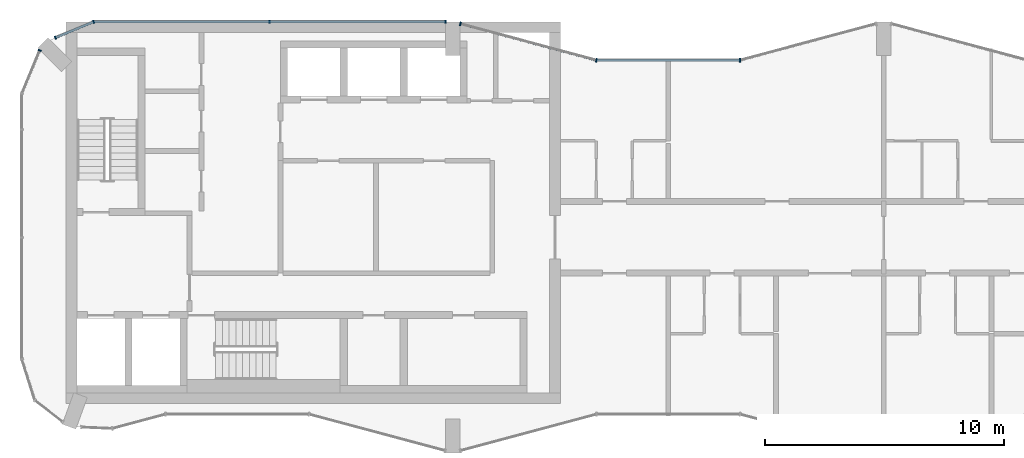
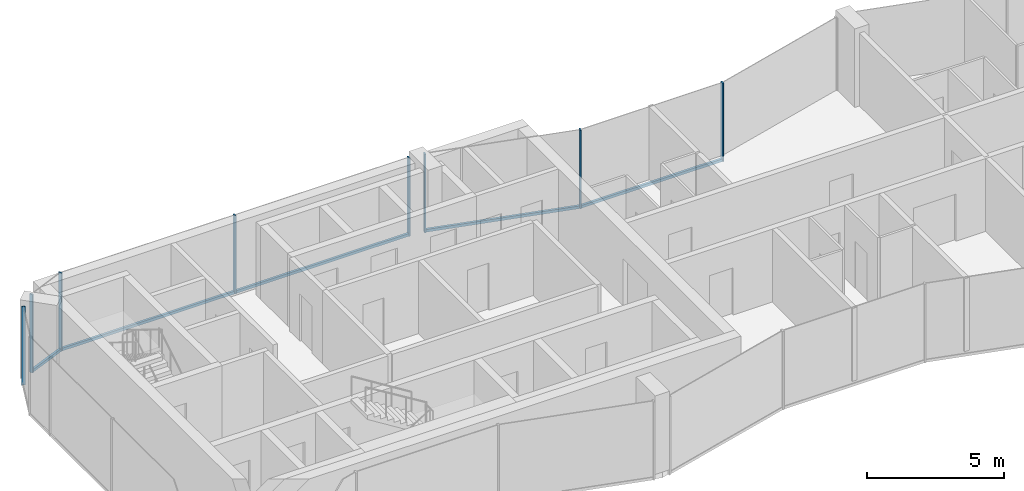
# One storey, part 4 of 10: 12 members, 5 elements without a shape of their own.
"""IFC4 building model written with IfcOpenShell, lengths in metres."""

from ifc_helpers import new_model, si_unit, direction, frame, origin, origin_2d, place, context, subcontext, project, spatial, rectangle, extrude, material, layer, layer_set, material_profile, profile_set, type_object, element, aggregate, save


model = new_model("IFC4")

# Units and contexts
model_context = context("Model", 3, precision=1e-05, world=origin(), true_north=direction((0.0, 1.0)))
body_context = subcontext(model_context, "Body", "Model", "MODEL_VIEW")
ifc_project = project(units=[si_unit("LENGTHUNIT", "METRE"), si_unit("AREAUNIT", "SQUARE_METRE"), si_unit("VOLUMEUNIT", "CUBIC_METRE"), si_unit("PLANEANGLEUNIT", "RADIAN"), si_unit("MASSUNIT", "GRAM", prefix="KILO")], contexts=[model_context])

# Site, building, storey
site_placement = place(None, origin())
site = spatial("IfcSite", under=ifc_project, at=site_placement, CompositionType="ELEMENT")
building_placement = place(site_placement, origin())
building = spatial("IfcBuilding", under=site, at=building_placement, Name="Plateau Cross Towers", CompositionType="ELEMENT")
storey_placement = place(building_placement, frame((0.0, 0.0, 266.89990234375)))
storey = spatial("IfcBuildingStorey", under=building, at=storey_placement, Name="L70", CompositionType="ELEMENT", Elevation=266.89990234375)

# Curtain wall, members
ifc_material_1 = material(Name="Dark low-iron glass", Category="glass")
ifc_layer_1 = layer(ifc_material_1, 0.239990234375)
ifc_layer_set_1 = layer_set([ifc_layer_1], Name="Dark low-iron glass")
curtain_wall_type_1 = type_object("IfcCurtainWallType", Name="Curtain wall flush unitised CW-B", PredefinedType="NOTDEFINED", material=ifc_layer_set_1)
curtain_wall_1_placement = place(storey_placement, origin())
curtain_wall_1 = element("IfcCurtainWall", 1, at=curtain_wall_1_placement, inside=storey, type_object=curtain_wall_type_1, Name="ENV/A/L70/A177_180", PredefinedType="NOTDEFINED")
ifc_material_2 = material(Name="Black anodised aluminium", Category="aluminium")
ifc_material_profile_1 = material_profile(ifc_material_2, rectangle(XDim=0.06005859375, YDim=0.139892578125, at=origin_2d()), Name="MULLION 60x140")
ifc_profile_set_1 = profile_set([ifc_material_profile_1], Name="Black anodised aluminium")
member_type_1 = type_object("IfcMemberType", Name="Mullion 60x140 flush unitised", PredefinedType="MULLION", material=ifc_profile_set_1)
member_1_placement = place(storey_placement, frame((17.699951171875, 18.0, -0.25), z_axis=(0.0, 0.0, 1.0), x_axis=(-1.0, 0.0, 0.0)))
member_1 = element("IfcMember", 2, at=member_1_placement, type_object=member_type_1, Name="CW-B mullion 1", PredefinedType="MULLION", context=body_context, shape_type="SweptSolid", body=[
    extrude(rectangle(XDim=0.06005859375, YDim=0.139892578125, at=origin_2d()), origin(), (0.0, 0.0, 1.0), 3.5),
])
member_2_placement = place(storey_placement, frame((10.35009765625, 18.0, -0.25), z_axis=(0.0, 0.0, 1.0), x_axis=(-1.0, 0.0, 0.0)))
member_2 = element("IfcMember", 3, at=member_2_placement, type_object=member_type_1, Name="CW-B mullion 2", PredefinedType="MULLION", context=body_context, shape_type="SweptSolid", body=[
    extrude(rectangle(XDim=0.06005859375, YDim=0.139892578125, at=origin_2d()), origin(), (0.0, 0.0, 1.0), 3.5),
])

curtain_wall_2_placement = place(storey_placement, origin())
curtain_wall_2 = element("IfcCurtainWall", 4, at=curtain_wall_2_placement, inside=storey, type_object=curtain_wall_type_1, Name="ENV/A/L70/A30_180", PredefinedType="NOTDEFINED")
member_3_placement = place(storey_placement, frame((3.0, 18.0, -0.25), z_axis=(0.0, 0.0, 1.0), x_axis=(-0.923879457699, -0.382683612978, 0.0)))
member_3 = element("IfcMember", 5, at=member_3_placement, type_object=member_type_1, Name="CW-B mullion 1", PredefinedType="MULLION", context=body_context, shape_type="SweptSolid", body=[
    extrude(rectangle(XDim=0.06005859375, YDim=0.139892578125, at=origin_2d()), origin(), (0.0, 0.0, 1.0), 3.5),
])
member_4_placement = place(storey_placement, frame((1.4033203125, 17.338623046875, -0.25), z_axis=(0.0, 0.0, 1.0), x_axis=(-0.923879457699, -0.382683612978, 0.0)))
member_4 = element("IfcMember", 6, at=member_4_placement, type_object=member_type_1, Name="CW-B mullion 2", PredefinedType="MULLION", context=body_context, shape_type="SweptSolid", body=[
    extrude(rectangle(XDim=0.06005859375, YDim=0.139892578125, at=origin_2d()), origin(), (0.0, 0.0, 1.0), 3.5),
])

# Curtain wall, member
curtain_wall_3_placement = place(storey_placement, origin())
curtain_wall_3 = element("IfcCurtainWall", 7, at=curtain_wall_3_placement, inside=storey, type_object=curtain_wall_type_1, Name="ENV/A/L70/A7_168", PredefinedType="NOTDEFINED")
member_5_placement = place(storey_placement, frame((0.748046875, 16.805908203125, -0.25), z_axis=(0.0, 0.0, 1.0), x_axis=(-0.382683612978, -0.923879457699, 0.0)))
member_5 = element("IfcMember", 8, at=member_5_placement, type_object=member_type_1, Name="CW-B mullion 1", PredefinedType="MULLION", context=body_context, shape_type="SweptSolid", body=[
    extrude(rectangle(XDim=0.06005859375, YDim=0.139892578125, at=origin_2d()), origin(), (0.0, 0.0, 1.0), 3.5),
])
aggregate(curtain_wall_3, [member_5])

ifc_layer_2 = layer(ifc_material_1, 0.260009765625)
ifc_layer_set_2 = layer_set([ifc_layer_2], Name="Dark low-iron glass")
curtain_wall_type_2 = type_object("IfcCurtainWallType", Name="Curtain wall fluted unitised CW-A", PredefinedType="NOTDEFINED", material=ifc_layer_set_2)
curtain_wall_4_placement = place(storey_placement, origin())
curtain_wall_4 = element("IfcCurtainWall", 9, at=curtain_wall_4_placement, inside=storey, type_object=curtain_wall_type_2, Name="ENV/A/L70/A300_164", PredefinedType="NOTDEFINED")
ifc_material_profile_2 = material_profile(ifc_material_2, rectangle(XDim=0.06005859375, YDim=0.159912109375, at=origin_2d()), Name="MULLION 60x160")
ifc_profile_set_2 = profile_set([ifc_material_profile_2], Name="Black anodised aluminium")
member_type_2 = type_object("IfcMemberType", Name="Mullion 60x160 fluted unitised", PredefinedType="MULLION", material=ifc_profile_set_2)
member_6_placement = place(storey_placement, frame((30.0, 16.39306640625, -0.25), z_axis=(0.0, 0.0, 1.0), x_axis=(-1.0, 0.0, 0.0)))
member_6 = element("IfcMember", 10, at=member_6_placement, type_object=member_type_2, Name="CW-A mullion 1", PredefinedType="MULLION", context=body_context, shape_type="SweptSolid", body=[
    extrude(rectangle(XDim=0.06005859375, YDim=0.159912109375, at=origin_2d()), origin(), (0.0, 0.0, 1.0), 3.5),
])

# Curtain wall, members
curtain_wall_5_placement = place(storey_placement, origin())
curtain_wall_5 = element("IfcCurtainWall", 11, at=curtain_wall_5_placement, inside=storey, type_object=curtain_wall_type_2, Name="ENV/A/L70/A240_164", PredefinedType="NOTDEFINED")
member_7_placement = place(storey_placement, frame((24.0, 16.39306640625, -0.25), z_axis=(0.0, 0.0, 1.0), x_axis=(-0.965957983404, 0.258699003279, 0.0)))
member_7 = element("IfcMember", 12, at=member_7_placement, type_object=member_type_2, Name="CW-A mullion 1", PredefinedType="MULLION", context=body_context, shape_type="SweptSolid", body=[
    extrude(rectangle(XDim=0.06005859375, YDim=0.159912109375, at=origin_2d()), origin(), (0.0, 0.0, 1.0), 3.5),
])
member_8_placement = place(storey_placement, frame((18.31787109375, 17.914794921875, -0.25), z_axis=(0.0, 0.0, 1.0), x_axis=(-0.965957983404, 0.258699003279, 0.0)))
member_8 = element("IfcMember", 13, at=member_8_placement, type_object=member_type_2, Name="CW-A mullion 2", PredefinedType="MULLION", context=body_context, shape_type="SweptSolid", body=[
    extrude(rectangle(XDim=0.06005859375, YDim=0.159912109375, at=origin_2d()), origin(), (0.0, 0.0, 1.0), 3.5),
])

# Member
ifc_material_profile_3 = material_profile(ifc_material_2, rectangle(XDim=0.10009765625, YDim=0.1201171875, at=origin_2d()), Name="TRANSOM 100x120")
ifc_profile_set_3 = profile_set([ifc_material_profile_3], Name="Black anodised aluminium")
member_type_3 = type_object("IfcMemberType", Name="Transom 100x120 flush unitised", PredefinedType="USERDEFINED", material=ifc_profile_set_3)
member_9_placement = place(storey_placement, frame((17.699951171875, 18.0, -0.18994140625), z_axis=(-1.0, 0.0, 0.0), x_axis=(0.0, -1.0, 0.0)))
member_9 = element("IfcMember", 14, at=member_9_placement, type_object=member_type_3, Name="CW-B transom", ObjectType="TRANSOM", PredefinedType="USERDEFINED", context=body_context, shape_type="SweptSolid", body=[
    extrude(rectangle(XDim=0.10009765625, YDim=0.1201171875, at=origin_2d()), origin(), (0.0, 0.0, 1.0), 14.699951171875),
])

aggregate(curtain_wall_1, [member_1, member_2, member_9])

member_10_placement = place(storey_placement, frame((3.0, 18.0, -0.18994140625), z_axis=(-0.923877369776, -0.382688653628, 0.0), x_axis=(0.382688653628, -0.923877369776, 0.0)))
member_10 = element("IfcMember", 15, at=member_10_placement, type_object=member_type_3, Name="CW-B transom", ObjectType="TRANSOM", PredefinedType="USERDEFINED", context=body_context, shape_type="SweptSolid", body=[
    extrude(rectangle(XDim=0.10009765625, YDim=0.1201171875, at=origin_2d()), origin(), (0.0, 0.0, 1.0), 1.728271484375),
])

aggregate(curtain_wall_2, [member_3, member_4, member_10])

ifc_material_profile_4 = material_profile(ifc_material_2, rectangle(XDim=0.10009765625, YDim=0.1201171875, at=origin_2d()), Name="TRANSOM 100x120")
ifc_profile_set_4 = profile_set([ifc_material_profile_4], Name="Black anodised aluminium")
member_type_4 = type_object("IfcMemberType", Name="Transom 100x120 fluted unitised", PredefinedType="USERDEFINED", material=ifc_profile_set_4)
member_11_placement = place(storey_placement, frame((30.0, 16.39306640625, -0.18994140625), z_axis=(-1.0, 0.0, 0.0), x_axis=(0.0, -1.0, 0.0)))
member_11 = element("IfcMember", 16, at=member_11_placement, type_object=member_type_4, Name="CW-A transom", ObjectType="TRANSOM", PredefinedType="USERDEFINED", context=body_context, shape_type="SweptSolid", body=[
    extrude(rectangle(XDim=0.10009765625, YDim=0.1201171875, at=origin_2d()), origin(), (0.0, 0.0, 1.0), 6.0),
])

aggregate(curtain_wall_4, [member_6, member_11])

member_12_placement = place(storey_placement, frame((24.0, 16.39306640625, -0.18994140625), z_axis=(-0.965959534794, 0.258693210465, 0.0), x_axis=(-0.258693210465, -0.965959534794, 0.0)))
member_12 = element("IfcMember", 17, at=member_12_placement, type_object=member_type_4, Name="CW-A transom", ObjectType="TRANSOM", PredefinedType="USERDEFINED", context=body_context, shape_type="SweptSolid", body=[
    extrude(rectangle(XDim=0.10009765625, YDim=0.1201171875, at=origin_2d()), origin(), (0.0, 0.0, 1.0), 5.88232421875),
])

aggregate(curtain_wall_5, [member_7, member_8, member_12])

save(model, "model.ifc")
